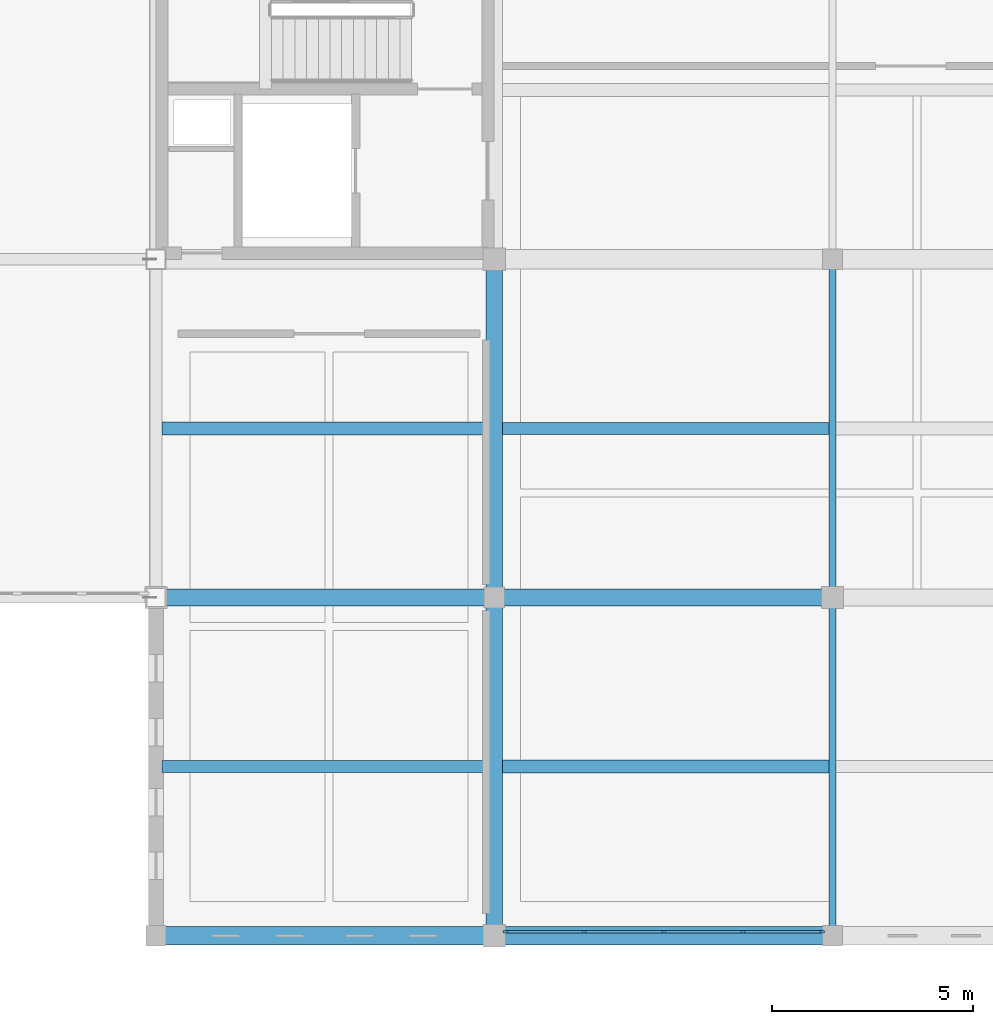
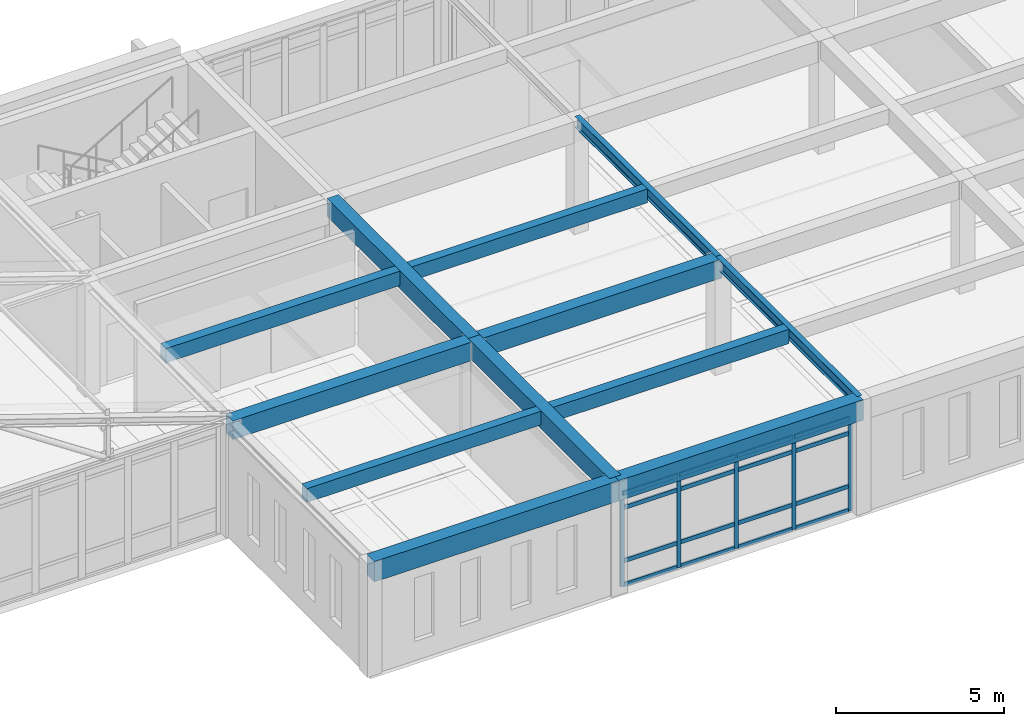
# One storey, part 56 of 192: 21 members, 12 beams, 1 element without a shape of its own.
"""IFC4 building model written with IfcOpenShell, lengths in metres."""

from ifc_helpers import new_model, si_unit, direction, frame, origin, origin_2d, place, context, subcontext, project, spatial, rectangle, i_section, extrude, material, layer, layer_set, material_profile, profile_set, type_object, element, aggregate, save


model = new_model("IFC4")

# Units and contexts
model_context = context("Model", 3, precision=1e-05, world=origin(), true_north=direction((0.0, 1.0)))
body_context = subcontext(model_context, "Body", "Model", "MODEL_VIEW")
ifc_project = project(units=[si_unit("LENGTHUNIT", "METRE"), si_unit("AREAUNIT", "SQUARE_METRE"), si_unit("VOLUMEUNIT", "CUBIC_METRE"), si_unit("PLANEANGLEUNIT", "RADIAN"), si_unit("MASSUNIT", "GRAM", prefix="KILO")], contexts=[model_context])

# Site, building, storey
site_placement = place(None, origin())
site = spatial("IfcSite", under=ifc_project, at=site_placement, CompositionType="ELEMENT")
building_placement = place(site_placement, origin())
building = spatial("IfcBuilding", under=site, at=building_placement, Name="Kveldsbrygga Polytechnic", CompositionType="ELEMENT")
storey_placement = place(building_placement, frame((0.0, 0.0, 5.43994140625)))
storey = spatial("IfcBuildingStorey", under=building, at=storey_placement, Name="L01", CompositionType="ELEMENT", Elevation=5.43994140625)

# Beams
ifc_material_1 = material(Name="Concrete C35/45", Category="concrete")
ifc_material_profile_1 = material_profile(ifc_material_1, rectangle(XDim=0.39990234375, YDim=0.64990234375, at=origin_2d()), Name="RC 400x650")
ifc_profile_set_1 = profile_set([ifc_material_profile_1], Name="Concrete C35/45")
beam_type_1 = type_object("IfcBeamType", Name="BM-RC-400x650", PredefinedType="BEAM", material=ifc_profile_set_1)
beam_1_placement = place(storey_placement, frame((84.0, 0.0, 3.795166015625), z_axis=(0.0, 1.0, 0.0), x_axis=(-1.0, 0.0, 0.0)))
element("IfcBeam", 1, at=beam_1_placement, inside=storey, type_object=beam_type_1, Name="Primary Beam BMY-L01-10-00to01", PredefinedType="BEAM", context=body_context, shape_type="SweptSolid", body=[
    extrude(rectangle(XDim=0.39990234375, YDim=0.64990234375, at=origin_2d()), origin(), (0.0, 0.0, 1.0), 8.39990234375),
])
beam_2_placement = place(storey_placement, frame((84.0, 8.39990234375, 3.795166015625), z_axis=(0.0, 1.0, 0.0), x_axis=(-1.0, 0.0, 0.0)))
element("IfcBeam", 2, at=beam_2_placement, inside=storey, type_object=beam_type_1, Name="Primary Beam BMY-L01-10-01to02", PredefinedType="BEAM", context=body_context, shape_type="SweptSolid", body=[
    extrude(rectangle(XDim=0.39990234375, YDim=0.64990234375, at=origin_2d()), origin(), (0.0, 0.0, 1.0), 8.400146484375),
])
ifc_material_profile_2 = material_profile(ifc_material_1, rectangle(XDim=0.419921875, YDim=0.679931640625, at=origin_2d()), Name="RC 420x680")
ifc_profile_set_2 = profile_set([ifc_material_profile_2], Name="Concrete C35/45")
beam_type_2 = type_object("IfcBeamType", Name="BM-RC-420x680", PredefinedType="BEAM", material=ifc_profile_set_2)
for number, where, z_axis, x_axis, name in (
    (3, (75.60009765625, 8.39990234375, 3.780029296875), (1.0, 0.0, 0.0), (0.0, 1.0, 0.0), "Primary Beam BMX-L01-09to10-01"),
    (4, (84.0, 8.39990234375, 3.780029296875), (1.0, 0.0, 0.0), (0.0, 1.0, 0.0), "Primary Beam BMX-L01-10to11-01"),
):
    element("IfcBeam", number, at=place(storey_placement, frame(where, z_axis=z_axis, x_axis=x_axis)), inside=storey, type_object=beam_type_2, Name=name, PredefinedType="BEAM", context=body_context, shape_type="SweptSolid", body=[
        extrude(rectangle(XDim=0.419921875, YDim=0.679931640625, at=origin_2d()), origin(), (0.0, 0.0, 1.0), 8.39990234375),
    ])
ifc_material_profile_3 = material_profile(ifc_material_1, rectangle(XDim=0.4599609375, YDim=0.739990234375, at=origin_2d()), Name="RC 460x740")
ifc_profile_set_3 = profile_set([ifc_material_profile_3], Name="Concrete C35/45")
beam_type_3 = type_object("IfcBeamType", Name="BM-RC-460x740", PredefinedType="BEAM", material=ifc_profile_set_3)
for number, where, z_axis, x_axis, name in (
    (5, (75.60009765625, 0.0, 3.75), (1.0, 0.0, 0.0), (0.0, 1.0, 0.0), "Primary Beam BMX-L01-09to10-00"),
    (6, (84.0, 0.0, 3.75), (1.0, 0.0, 0.0), (0.0, 1.0, 0.0), "Primary Beam BMX-L01-10to11-00"),
):
    element("IfcBeam", number, at=place(storey_placement, frame(where, z_axis=z_axis, x_axis=x_axis)), inside=storey, type_object=beam_type_3, Name=name, PredefinedType="BEAM", context=body_context, shape_type="SweptSolid", body=[
        extrude(rectangle(XDim=0.4599609375, YDim=0.739990234375, at=origin_2d()), origin(), (0.0, 0.0, 1.0), 8.39990234375),
    ])
ifc_material_2 = material(Name="Steel S355", Category="steel")
ifc_material_profile_4 = material_profile(ifc_material_2, i_section(OverallWidth=0.179931640625, OverallDepth=0.39990234375, WebThickness=0.008544921875, FlangeThickness=0.013427734375, FilletRadius=0.02099609375, at=origin_2d()), Name="IPE 400")
ifc_profile_set_4 = profile_set([ifc_material_profile_4], Name="Steel S355")
beam_type_4 = type_object("IfcBeamType", Name="BM-STL-IPE400", PredefinedType="BEAM", material=ifc_profile_set_4)
beam_3_placement = place(storey_placement, frame((92.39990234375, 0.0, 3.920166015625), z_axis=(0.0, 1.0, 0.0), x_axis=(-1.0, 0.0, 0.0)))
element("IfcBeam", 7, at=beam_3_placement, inside=storey, type_object=beam_type_4, Name="Primary Beam BMY-L01-11-00to01", PredefinedType="BEAM", context=body_context, shape_type="SweptSolid", body=[
    extrude(i_section(OverallWidth=0.179931640625, OverallDepth=0.39990234375, WebThickness=0.008544921875, FlangeThickness=0.013427734375, FilletRadius=0.02099609375, at=origin_2d()), origin(), (0.0, 0.0, 1.0), 8.39990234375),
])
beam_4_placement = place(storey_placement, frame((92.39990234375, 8.39990234375, 3.920166015625), z_axis=(0.0, 1.0, 0.0), x_axis=(-1.0, 0.0, 0.0)))
element("IfcBeam", 8, at=beam_4_placement, inside=storey, type_object=beam_type_4, Name="Primary Beam BMY-L01-11-01to02", PredefinedType="BEAM", context=body_context, shape_type="SweptSolid", body=[
    extrude(i_section(OverallWidth=0.179931640625, OverallDepth=0.39990234375, WebThickness=0.008544921875, FlangeThickness=0.013427734375, FilletRadius=0.02099609375, at=origin_2d()), origin(), (0.0, 0.0, 1.0), 8.400146484375),
])

# Curtain wall, members
ifc_material_3 = material(Name="Anodised aluminium AW-6060", Category="aluminium")
ifc_layer = layer(ifc_material_3, 0.199951171875)
ifc_layer_set = layer_set([ifc_layer], Name="Anodised aluminium AW-6060")
curtain_wall_type = type_object("IfcCurtainWallType", Name="CW-LANC-E", PredefinedType="USERDEFINED", material=ifc_layer_set)
curtain_wall_placement = place(storey_placement, origin())
curtain_wall = element("IfcCurtainWall", 9, at=curtain_wall_placement, inside=storey, type_object=curtain_wall_type, Name="Curtain Wall CW-L01-X-10-00", ObjectType="UNITISED CURTAIN WALL", PredefinedType="USERDEFINED")
ifc_material_profile_5 = material_profile(ifc_material_3, rectangle(XDim=0.06005859375, YDim=0.139892578125, at=origin_2d()), Name="ALU 60x140")
ifc_profile_set_5 = profile_set([ifc_material_profile_5], Name="Anodised aluminium AW-6060")
member_type_1 = type_object("IfcMemberType", Name="CW-MUL-140", PredefinedType="MULLION", material=ifc_profile_set_5)
member_1_placement = place(storey_placement, frame((84.2900390625, 0.10009765625, 0.0), z_axis=(0.0, 0.0, 1.0), x_axis=(0.0, 1.0, 0.0)))
member_1 = element("IfcMember", 10, at=member_1_placement, type_object=member_type_1, Name="CW-05 mullion 1", PredefinedType="MULLION", context=body_context, shape_type="SweptSolid", body=[
    extrude(rectangle(XDim=0.06005859375, YDim=0.139892578125, at=origin_2d()), origin(), (0.0, 0.0, 1.0), 3.380126953125),
])
member_2_placement = place(storey_placement, frame((86.236328125, 0.10009765625, 0.0), z_axis=(0.0, 0.0, 1.0), x_axis=(0.0, 1.0, 0.0)))
member_2 = element("IfcMember", 11, at=member_2_placement, type_object=member_type_1, Name="CW-05 mullion 2", PredefinedType="MULLION", context=body_context, shape_type="SweptSolid", body=[
    extrude(rectangle(XDim=0.06005859375, YDim=0.139892578125, at=origin_2d()), origin(), (0.0, 0.0, 1.0), 3.380126953125),
])
member_3_placement = place(storey_placement, frame((88.21240234375, 0.10009765625, 0.0), z_axis=(0.0, 0.0, 1.0), x_axis=(0.0, 1.0, 0.0)))
member_3 = element("IfcMember", 12, at=member_3_placement, type_object=member_type_1, Name="CW-05 mullion 3", PredefinedType="MULLION", context=body_context, shape_type="SweptSolid", body=[
    extrude(rectangle(XDim=0.06005859375, YDim=0.139892578125, at=origin_2d()), origin(), (0.0, 0.0, 1.0), 3.380126953125),
])
member_4_placement = place(storey_placement, frame((90.188720703125, 0.10009765625, 0.0), z_axis=(0.0, 0.0, 1.0), x_axis=(0.0, 1.0, 0.0)))
member_4 = element("IfcMember", 13, at=member_4_placement, type_object=member_type_1, Name="CW-05 mullion 4", PredefinedType="MULLION", context=body_context, shape_type="SweptSolid", body=[
    extrude(rectangle(XDim=0.06005859375, YDim=0.139892578125, at=origin_2d()), origin(), (0.0, 0.0, 1.0), 3.380126953125),
])
member_5_placement = place(storey_placement, frame((92.135009765625, 0.10009765625, 0.0), z_axis=(0.0, 0.0, 1.0), x_axis=(0.0, 1.0, 0.0)))
member_5 = element("IfcMember", 14, at=member_5_placement, type_object=member_type_1, Name="CW-05 mullion 5", PredefinedType="MULLION", context=body_context, shape_type="SweptSolid", body=[
    extrude(rectangle(XDim=0.06005859375, YDim=0.139892578125, at=origin_2d()), origin(), (0.0, 0.0, 1.0), 3.380126953125),
])
ifc_material_profile_6 = material_profile(ifc_material_3, rectangle(XDim=0.06005859375, YDim=0.14990234375, at=origin_2d()), Name="ALU 60x150")
ifc_profile_set_6 = profile_set([ifc_material_profile_6], Name="Anodised aluminium AW-6060")
member_type_2 = type_object("IfcMemberType", Name="CW-TRN-150", PredefinedType="USERDEFINED", material=ifc_profile_set_6)
member_6_placement = place(storey_placement, frame((84.320068359375, 0.10009765625, 0.030029296875), z_axis=(1.0, 0.0, 0.0), x_axis=(0.0, 1.0, 0.0)))
member_6 = element("IfcMember", 15, at=member_6_placement, type_object=member_type_2, Name="CW-05 transom 1.1", ObjectType="TRANSOM", PredefinedType="USERDEFINED", context=body_context, shape_type="SweptSolid", body=[
    extrude(rectangle(XDim=0.06005859375, YDim=0.14990234375, at=origin_2d()), origin(), (0.0, 0.0, 1.0), 1.88623046875),
])
member_7_placement = place(storey_placement, frame((84.320068359375, 0.10009765625, 0.900146484375), z_axis=(1.0, 0.0, 0.0), x_axis=(0.0, 1.0, 0.0)))
member_7 = element("IfcMember", 16, at=member_7_placement, type_object=member_type_2, Name="CW-05 transom 1.2", ObjectType="TRANSOM", PredefinedType="USERDEFINED", context=body_context, shape_type="SweptSolid", body=[
    extrude(rectangle(XDim=0.06005859375, YDim=0.14990234375, at=origin_2d()), origin(), (0.0, 0.0, 1.0), 1.88623046875),
])
member_8_placement = place(storey_placement, frame((84.320068359375, 0.10009765625, 2.830078125), z_axis=(1.0, 0.0, 0.0), x_axis=(0.0, 1.0, 0.0)))
member_8 = element("IfcMember", 17, at=member_8_placement, type_object=member_type_2, Name="CW-05 transom 1.3", ObjectType="TRANSOM", PredefinedType="USERDEFINED", context=body_context, shape_type="SweptSolid", body=[
    extrude(rectangle(XDim=0.06005859375, YDim=0.14990234375, at=origin_2d()), origin(), (0.0, 0.0, 1.0), 1.88623046875),
])
member_9_placement = place(storey_placement, frame((84.320068359375, 0.10009765625, 3.35009765625), z_axis=(1.0, 0.0, 0.0), x_axis=(0.0, 1.0, 0.0)))
member_9 = element("IfcMember", 18, at=member_9_placement, type_object=member_type_2, Name="CW-05 transom 1.4", ObjectType="TRANSOM", PredefinedType="USERDEFINED", context=body_context, shape_type="SweptSolid", body=[
    extrude(rectangle(XDim=0.06005859375, YDim=0.14990234375, at=origin_2d()), origin(), (0.0, 0.0, 1.0), 1.88623046875),
])
member_10_placement = place(storey_placement, frame((86.266357421875, 0.10009765625, 0.030029296875), z_axis=(1.0, 0.0, 0.0), x_axis=(0.0, 1.0, 0.0)))
member_10 = element("IfcMember", 19, at=member_10_placement, type_object=member_type_2, Name="CW-05 transom 2.1", ObjectType="TRANSOM", PredefinedType="USERDEFINED", context=body_context, shape_type="SweptSolid", body=[
    extrude(rectangle(XDim=0.06005859375, YDim=0.14990234375, at=origin_2d()), origin(), (0.0, 0.0, 1.0), 1.916259765625),
])
member_11_placement = place(storey_placement, frame((86.266357421875, 0.10009765625, 0.900146484375), z_axis=(1.0, 0.0, 0.0), x_axis=(0.0, 1.0, 0.0)))
member_11 = element("IfcMember", 20, at=member_11_placement, type_object=member_type_2, Name="CW-05 transom 2.2", ObjectType="TRANSOM", PredefinedType="USERDEFINED", context=body_context, shape_type="SweptSolid", body=[
    extrude(rectangle(XDim=0.06005859375, YDim=0.14990234375, at=origin_2d()), origin(), (0.0, 0.0, 1.0), 1.916259765625),
])
member_12_placement = place(storey_placement, frame((86.266357421875, 0.10009765625, 2.830078125), z_axis=(1.0, 0.0, 0.0), x_axis=(0.0, 1.0, 0.0)))
member_12 = element("IfcMember", 21, at=member_12_placement, type_object=member_type_2, Name="CW-05 transom 2.3", ObjectType="TRANSOM", PredefinedType="USERDEFINED", context=body_context, shape_type="SweptSolid", body=[
    extrude(rectangle(XDim=0.06005859375, YDim=0.14990234375, at=origin_2d()), origin(), (0.0, 0.0, 1.0), 1.916259765625),
])
member_13_placement = place(storey_placement, frame((86.266357421875, 0.10009765625, 3.35009765625), z_axis=(1.0, 0.0, 0.0), x_axis=(0.0, 1.0, 0.0)))
member_13 = element("IfcMember", 22, at=member_13_placement, type_object=member_type_2, Name="CW-05 transom 2.4", ObjectType="TRANSOM", PredefinedType="USERDEFINED", context=body_context, shape_type="SweptSolid", body=[
    extrude(rectangle(XDim=0.06005859375, YDim=0.14990234375, at=origin_2d()), origin(), (0.0, 0.0, 1.0), 1.916259765625),
])
member_14_placement = place(storey_placement, frame((88.242431640625, 0.10009765625, 0.030029296875), z_axis=(1.0, 0.0, 0.0), x_axis=(0.0, 1.0, 0.0)))
member_14 = element("IfcMember", 23, at=member_14_placement, type_object=member_type_2, Name="CW-05 transom 3.1", ObjectType="TRANSOM", PredefinedType="USERDEFINED", context=body_context, shape_type="SweptSolid", body=[
    extrude(rectangle(XDim=0.06005859375, YDim=0.14990234375, at=origin_2d()), origin(), (0.0, 0.0, 1.0), 1.916259765625),
])
member_15_placement = place(storey_placement, frame((88.242431640625, 0.10009765625, 0.900146484375), z_axis=(1.0, 0.0, 0.0), x_axis=(0.0, 1.0, 0.0)))
member_15 = element("IfcMember", 24, at=member_15_placement, type_object=member_type_2, Name="CW-05 transom 3.2", ObjectType="TRANSOM", PredefinedType="USERDEFINED", context=body_context, shape_type="SweptSolid", body=[
    extrude(rectangle(XDim=0.06005859375, YDim=0.14990234375, at=origin_2d()), origin(), (0.0, 0.0, 1.0), 1.916259765625),
])
member_16_placement = place(storey_placement, frame((88.242431640625, 0.10009765625, 2.830078125), z_axis=(1.0, 0.0, 0.0), x_axis=(0.0, 1.0, 0.0)))
member_16 = element("IfcMember", 25, at=member_16_placement, type_object=member_type_2, Name="CW-05 transom 3.3", ObjectType="TRANSOM", PredefinedType="USERDEFINED", context=body_context, shape_type="SweptSolid", body=[
    extrude(rectangle(XDim=0.06005859375, YDim=0.14990234375, at=origin_2d()), origin(), (0.0, 0.0, 1.0), 1.916259765625),
])
member_17_placement = place(storey_placement, frame((88.242431640625, 0.10009765625, 3.35009765625), z_axis=(1.0, 0.0, 0.0), x_axis=(0.0, 1.0, 0.0)))
member_17 = element("IfcMember", 26, at=member_17_placement, type_object=member_type_2, Name="CW-05 transom 3.4", ObjectType="TRANSOM", PredefinedType="USERDEFINED", context=body_context, shape_type="SweptSolid", body=[
    extrude(rectangle(XDim=0.06005859375, YDim=0.14990234375, at=origin_2d()), origin(), (0.0, 0.0, 1.0), 1.916259765625),
])
member_18_placement = place(storey_placement, frame((90.21875, 0.10009765625, 0.030029296875), z_axis=(1.0, 0.0, 0.0), x_axis=(0.0, 1.0, 0.0)))
member_18 = element("IfcMember", 27, at=member_18_placement, type_object=member_type_2, Name="CW-05 transom 4.1", ObjectType="TRANSOM", PredefinedType="USERDEFINED", context=body_context, shape_type="SweptSolid", body=[
    extrude(rectangle(XDim=0.06005859375, YDim=0.14990234375, at=origin_2d()), origin(), (0.0, 0.0, 1.0), 1.88623046875),
])
member_19_placement = place(storey_placement, frame((90.21875, 0.10009765625, 0.900146484375), z_axis=(1.0, 0.0, 0.0), x_axis=(0.0, 1.0, 0.0)))
member_19 = element("IfcMember", 28, at=member_19_placement, type_object=member_type_2, Name="CW-05 transom 4.2", ObjectType="TRANSOM", PredefinedType="USERDEFINED", context=body_context, shape_type="SweptSolid", body=[
    extrude(rectangle(XDim=0.06005859375, YDim=0.14990234375, at=origin_2d()), origin(), (0.0, 0.0, 1.0), 1.88623046875),
])
member_20_placement = place(storey_placement, frame((90.21875, 0.10009765625, 2.830078125), z_axis=(1.0, 0.0, 0.0), x_axis=(0.0, 1.0, 0.0)))
member_20 = element("IfcMember", 29, at=member_20_placement, type_object=member_type_2, Name="CW-05 transom 4.3", ObjectType="TRANSOM", PredefinedType="USERDEFINED", context=body_context, shape_type="SweptSolid", body=[
    extrude(rectangle(XDim=0.06005859375, YDim=0.14990234375, at=origin_2d()), origin(), (0.0, 0.0, 1.0), 1.88623046875),
])
member_21_placement = place(storey_placement, frame((90.21875, 0.10009765625, 3.35009765625), z_axis=(1.0, 0.0, 0.0), x_axis=(0.0, 1.0, 0.0)))
member_21 = element("IfcMember", 30, at=member_21_placement, type_object=member_type_2, Name="CW-05 transom 4.4", ObjectType="TRANSOM", PredefinedType="USERDEFINED", context=body_context, shape_type="SweptSolid", body=[
    extrude(rectangle(XDim=0.06005859375, YDim=0.14990234375, at=origin_2d()), origin(), (0.0, 0.0, 1.0), 1.88623046875),
])
aggregate(curtain_wall, [member_1, member_2, member_3, member_4, member_5, member_6, member_7, member_8, member_9, member_10, member_11, member_12, member_13, member_14, member_15, member_16, member_17, member_18, member_19, member_20, member_21])

# Beams
ifc_material_profile_7 = material_profile(ifc_material_1, rectangle(XDim=0.300048828125, YDim=0.5, at=origin_2d()), Name="RC 300x500")
ifc_profile_set_7 = profile_set([ifc_material_profile_7], Name="Concrete C35/45")
beam_type_5 = type_object("IfcBeamType", Name="JST-RC-300x500", PredefinedType="JOIST", material=ifc_profile_set_7)
beam_5_placement = place(storey_placement, frame((75.75, 4.199951171875, 3.8701171875), z_axis=(1.0, 0.0, 0.0), x_axis=(0.0, 1.0, 0.0)))
element("IfcBeam", 31, at=beam_5_placement, inside=storey, type_object=beam_type_5, Name="Secondary Joist JST-L01-09-00", PredefinedType="JOIST", context=body_context, shape_type="SweptSolid", body=[
    extrude(rectangle(XDim=0.300048828125, YDim=0.5, at=origin_2d()), origin(), (0.0, 0.0, 1.0), 8.050048828125),
])
beam_6_placement = place(storey_placement, frame((84.199951171875, 12.60009765625, 3.8701171875), z_axis=(1.0, 0.0, 0.0), x_axis=(0.0, 1.0, 0.0)))
element("IfcBeam", 32, at=beam_6_placement, inside=storey, type_object=beam_type_5, Name="Secondary Joist JST-L01-10-01", PredefinedType="JOIST", context=body_context, shape_type="SweptSolid", body=[
    extrude(rectangle(XDim=0.300048828125, YDim=0.5, at=origin_2d()), origin(), (0.0, 0.0, 1.0), 8.110107421875),
])
ifc_material_profile_8 = material_profile(ifc_material_1, rectangle(XDim=0.320068359375, YDim=0.52001953125, at=origin_2d()), Name="RC 320x520")
ifc_profile_set_8 = profile_set([ifc_material_profile_8], Name="Concrete C35/45")
beam_type_6 = type_object("IfcBeamType", Name="JST-RC-320x520", PredefinedType="JOIST", material=ifc_profile_set_8)
beam_7_placement = place(storey_placement, frame((75.75, 12.60009765625, 3.860107421875), z_axis=(1.0, 0.0, 0.0), x_axis=(0.0, 1.0, 0.0)))
element("IfcBeam", 33, at=beam_7_placement, inside=storey, type_object=beam_type_6, Name="Secondary Joist JST-L01-09-01", PredefinedType="JOIST", context=body_context, shape_type="SweptSolid", body=[
    extrude(rectangle(XDim=0.320068359375, YDim=0.52001953125, at=origin_2d()), origin(), (0.0, 0.0, 1.0), 8.050048828125),
])
beam_8_placement = place(storey_placement, frame((84.199951171875, 4.199951171875, 3.860107421875), z_axis=(1.0, 0.0, 0.0), x_axis=(0.0, 1.0, 0.0)))
element("IfcBeam", 34, at=beam_8_placement, inside=storey, type_object=beam_type_6, Name="Secondary Joist JST-L01-10-00", PredefinedType="JOIST", context=body_context, shape_type="SweptSolid", body=[
    extrude(rectangle(XDim=0.320068359375, YDim=0.52001953125, at=origin_2d()), origin(), (0.0, 0.0, 1.0), 8.110107421875),
])

save(model, "model.ifc")
